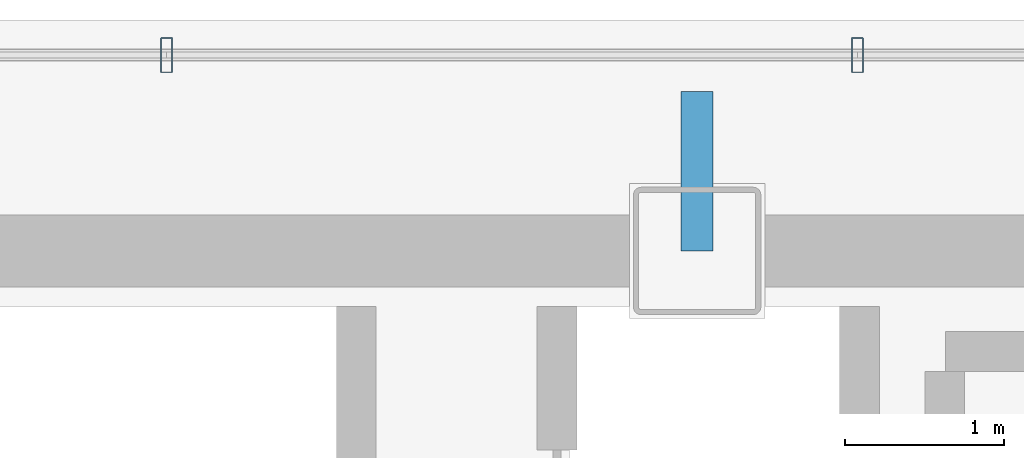
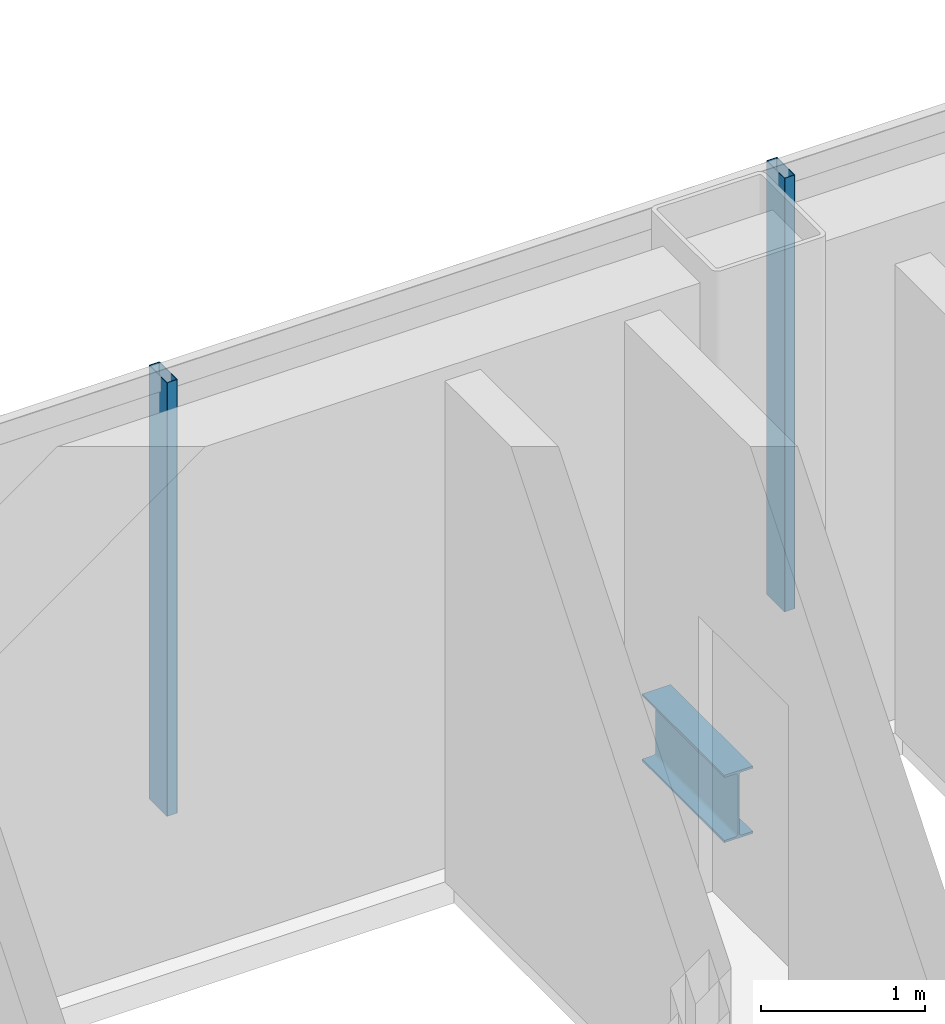
# One storey, part 9 of 15: 2 members, 1 beam, 1 element without a shape of its own.
"""IFC4 building model written with IfcOpenShell, lengths in metres."""

import ifcopenshell
import ifcopenshell.guid

model = None  # the IFC model being written
_history = None  # IfcOwnerHistory: only IFC2X3 demands one
_inside = {}  # id of a spatial element -> (the spatial element, [elements in it])
_under = {}  # id of a project, library or spatial element -> (it, [spatial elements below it])
_declared = {}  # id of a project -> (the project, [libraries it declares])
_typed = {}  # id of a type object -> (the type object, [elements of that type])
_made_of = {}  # id of a material, layer set ... -> (it, [elements and type objects made of it])


def new_model(schema):
    """Start an empty IFC model of exactly this schema.

    Asked for "IFC4X3", IfcOpenShell would pick the latest addendum, in which some entities
    have other attributes; the version numbers below select the first issue.
    IFC2X3 requires an IfcOwnerHistory on every rooted entity: one is made here for all.
    """
    global model, _history
    if schema == "IFC4X3":
        model = ifcopenshell.file(schema_version=(4, 3, 0, 0))
    else:
        model = ifcopenshell.file(schema=schema)
    _inside.clear()
    _under.clear()
    _declared.clear()
    _typed.clear()
    _made_of.clear()
    _history = None
    if model.schema == "IFC2X3":
        org = make("IfcOrganization", Name="unknown")
        user = make(
            "IfcPersonAndOrganization",
            ThePerson=make("IfcPerson", FamilyName="unknown"),
            TheOrganization=org,
        )
        app = make(
            "IfcApplication",
            ApplicationDeveloper=org,
            Version="unknown",
            ApplicationFullName="unknown",
            ApplicationIdentifier="unknown",
        )
        _history = make(
            "IfcOwnerHistory",
            OwningUser=user,
            OwningApplication=app,
            ChangeAction="ADDED",
            CreationDate=0,
        )
    return model


def make(cls, **values):
    """One entity of the class cls with the attributes given. An attribute that is None is left unset."""
    return model.create_entity(
        cls, **{name: value for name, value in values.items() if value is not None}
    )


def rooted(cls, **values):
    """An entity with a GlobalId (a new one), such as an element, a storey or a relation."""
    return make(cls, GlobalId=ifcopenshell.guid.new(), OwnerHistory=_history, **values)


def si_unit(unit_type, name, prefix=None):
    """IfcSIUnit, for example si_unit("LENGTHUNIT", "METRE", prefix="MILLI")."""
    return make("IfcSIUnit", UnitType=unit_type, Prefix=prefix, Name=name)


def assignment(units):
    """IfcUnitAssignment: the units of a project."""
    return None if units is None else make("IfcUnitAssignment", Units=units)


def point(xyz):
    """IfcCartesianPoint."""
    return None if xyz is None else make("IfcCartesianPoint", Coordinates=xyz)


def direction(xyz):
    """IfcDirection."""
    return None if xyz is None else make("IfcDirection", DirectionRatios=xyz)


def frame(location, z_axis=None, x_axis=None):
    """IfcAxis2Placement3D, a coordinate frame: its origin and axes. An axis left out is left unset."""
    return make(
        "IfcAxis2Placement3D",
        Location=point(location),
        Axis=direction(z_axis),
        RefDirection=direction(x_axis),
    )


def frame_2d(location, x_axis=None):
    """IfcAxis2Placement2D, a coordinate frame in the plane: its origin and x axis."""
    return make(
        "IfcAxis2Placement2D", Location=point(location), RefDirection=direction(x_axis)
    )


def origin():
    """The frame at (0, 0, 0) with its axes left unset."""
    return frame((0.0, 0.0, 0.0))


def origin_2d():
    """The frame at (0, 0) in the plane with its x axis left unset."""
    return frame_2d((0.0, 0.0))


def place(relative_to, where):
    """IfcLocalPlacement: puts the frame where relative to a parent placement (None: the world)."""
    return make(
        "IfcLocalPlacement", PlacementRelTo=relative_to, RelativePlacement=where
    )


def context(
    kind, dimensions, precision=None, world=None, true_north=None, identifier=None
):
    """IfcGeometricRepresentationContext, for example the 3D "Model" context."""
    return make(
        "IfcGeometricRepresentationContext",
        ContextIdentifier=identifier,
        ContextType=kind,
        CoordinateSpaceDimension=dimensions,
        Precision=precision,
        WorldCoordinateSystem=world,
        TrueNorth=true_north,
    )


def subcontext(parent, identifier, kind, view, scale=None):
    """IfcGeometricRepresentationSubContext, for example "Body" below "Model"."""
    return make(
        "IfcGeometricRepresentationSubContext",
        ContextIdentifier=identifier,
        ContextType=kind,
        ParentContext=parent,
        TargetScale=scale,
        TargetView=view,
    )


def project(units=None, contexts=None):
    """IfcProject with its units and contexts."""
    return rooted(
        "IfcProject",
        Name="project",
        RepresentationContexts=contexts,
        UnitsInContext=assignment(units),
    )


def spatial(cls, under=None, at=None, **own):
    """A site, building, storey or space (cls), placed at a placement, below another one or the project."""
    s = rooted(cls, ObjectPlacement=at, **own)
    if under is not None:
        _under.setdefault(under.id(), (under, []))[1].append(s)
    return s


def profile(cls, at=None, kind="AREA", **sizes):
    """A parametric profile (cls). Its sizes go by their IFC names, for example OverallWidth=200.0."""
    return make(cls, ProfileType=kind, Position=at, **sizes)


def hollow_rectangle(**sizes):
    """IfcRectangleHollowProfileDef."""
    return profile("IfcRectangleHollowProfileDef", **sizes)


def i_section(**sizes):
    """IfcIShapeProfileDef."""
    return profile("IfcIShapeProfileDef", **sizes)


def extrude(swept, where, along, depth):
    """IfcExtrudedAreaSolid: the profile swept, set in the frame where, extruded along a direction by depth."""
    return make(
        "IfcExtrudedAreaSolid",
        SweptArea=swept,
        Position=where,
        ExtrudedDirection=direction(along),
        Depth=depth,
    )


def shape(context_of_items, identifier, shape_type, items):
    """IfcShapeRepresentation: the items that make up one representation, for example the "Body"."""
    return make(
        "IfcShapeRepresentation",
        ContextOfItems=context_of_items,
        RepresentationIdentifier=identifier,
        RepresentationType=shape_type,
        Items=items,
    )


def material(Name=None, Category=None):
    """IfcMaterial."""
    return make("IfcMaterial", Name=Name, Category=Category)


def material_profile(
    of_material, cross_section, Name=None, Category=None, Priority=None
):
    """IfcMaterialProfile: a cross section and its material."""
    return make(
        "IfcMaterialProfile",
        Name=Name,
        Material=of_material,
        Profile=cross_section,
        Priority=Priority,
        Category=Category,
    )


def profile_set(profiles, Name=None, composite=None):
    """IfcMaterialProfileSet."""
    return make(
        "IfcMaterialProfileSet",
        Name=Name,
        MaterialProfiles=profiles,
        CompositeProfile=composite,
    )


def made_of(thing, what):
    """Note that an element or type object is made of a material, layer set ...; save() writes the relation."""
    if what is not None:
        _made_of.setdefault(what.id(), (what, []))[1].append(thing)
    return thing


def type_object(cls, material=None, **own):
    """A type object (cls), such as IfcWallType, which elements share."""
    return made_of(rooted(cls, **own), material)


def element(
    cls,
    number,
    at=None,
    inside=None,
    cuts=None,
    type_object=None,
    material=None,
    context=None,
    identifier="Body",
    shape_type=None,
    held_by="IfcProductDefinitionShape",
    body=None,
    shapes=None,
    **own,
):
    """One element of the class cls, such as IfcWall. Its Tag is "e" and its number.

    at: its placement. inside: the storey or other place that contains it. cuts: it is an
    opening in that element (IfcRelVoidsElement). A single representation is given by context,
    identifier, shape_type and body (its items); several are given by shapes. held_by: the class
    of the entity that holds the representations. save() writes the other relations.
    """
    e = rooted(cls, Tag="e%d" % number, ObjectPlacement=at, **own)
    if body is not None:
        shapes = [shape(context, identifier, shape_type, body)]
    if shapes is not None:
        e.Representation = make(held_by, Representations=shapes)
    if inside is not None:
        _inside.setdefault(inside.id(), (inside, []))[1].append(e)
    if cuts is not None:
        rooted(
            "IfcRelVoidsElement", RelatingBuildingElement=cuts, RelatedOpeningElement=e
        )
    if type_object is not None:
        _typed.setdefault(type_object.id(), (type_object, []))[1].append(e)
    return made_of(e, material)


def aggregate(whole, parts):
    """IfcRelAggregates: a whole, such as a stair, and the parts it consists of."""
    return rooted("IfcRelAggregates", RelatingObject=whole, RelatedObjects=parts)


def save(model, path):
    """Write the relations noted so far, then the file.

    IfcRelAggregates (storeys below a building ...), IfcRelContainedInSpatialStructure (elements
    in a storey), IfcRelDefinesByType, IfcRelAssociatesMaterial and IfcRelDeclares: one each for
    every whole, place, type object, material and project.
    """
    for whole, parts in _under.values():
        aggregate(whole, parts)
    for where, things in _inside.values():
        rooted(
            "IfcRelContainedInSpatialStructure",
            RelatedElements=things,
            RelatingStructure=where,
        )
    for kind, things in _typed.values():
        rooted("IfcRelDefinesByType", RelatedObjects=things, RelatingType=kind)
    for what, things in _made_of.values():
        rooted("IfcRelAssociatesMaterial", RelatedObjects=things, RelatingMaterial=what)
    for by, libraries in _declared.values():
        rooted("IfcRelDeclares", RelatingContext=by, RelatedDefinitions=libraries)
    model.write(path)


model = new_model("IFC4")

# Units and contexts
model_context = context("Model", 3, precision=1e-05, world=origin(), true_north=direction((0.0, 1.0)))
body_context = subcontext(model_context, "Body", "Model", "MODEL_VIEW")
ifc_project = project(units=[si_unit("LENGTHUNIT", "METRE"), si_unit("AREAUNIT", "SQUARE_METRE"), si_unit("VOLUMEUNIT", "CUBIC_METRE"), si_unit("PLANEANGLEUNIT", "RADIAN"), si_unit("MASSUNIT", "GRAM", prefix="KILO")], contexts=[model_context])

# Site, building, storey
site_placement = place(None, origin())
site = spatial("IfcSite", under=ifc_project, at=site_placement, CompositionType="ELEMENT")
building_placement = place(site_placement, origin())
building = spatial("IfcBuilding", under=site, at=building_placement, Name="Noeulbin Bourse Tower", CompositionType="ELEMENT")
storey_placement = place(building_placement, frame((0.0, 0.0, 211.10009765625)))
storey = spatial("IfcBuildingStorey", under=building, at=storey_placement, Name="L52", CompositionType="ELEMENT", Elevation=211.10009765625)

# Beam
ifc_material_1 = material(Name="Steel S355", Category="steel")
ifc_material_profile_1 = material_profile(ifc_material_1, i_section(OverallWidth=0.199951171875, OverallDepth=0.5, WebThickness=0.010009765625, FlangeThickness=0.01611328125, FilletRadius=0.02001953125, at=origin_2d()), Name="H-500x200x10x16", Category="LoadBearing")
ifc_profile_set_1 = profile_set([ifc_material_profile_1], Name="Steel S355")
beam_type = type_object("IfcBeamType", Name="BM-GRD-500", PredefinedType="USERDEFINED", material=ifc_profile_set_1)
beam_placement = place(storey_placement, frame((37.5, 38.300048828125, -0.43017578125), z_axis=(0.0, 1.0, 0.0), x_axis=(-1.0, 0.0, 0.0)))
element("IfcBeam", 1, at=beam_placement, inside=storey, type_object=beam_type, Name="Tower Primary Girder NS L52-4.4", ObjectType="GIRDER", PredefinedType="USERDEFINED", context=body_context, shape_type="SweptSolid", body=[
    extrude(i_section(OverallWidth=0.199951171875, OverallDepth=0.5, WebThickness=0.010009765625, FlangeThickness=0.01611328125, FilletRadius=0.02001953125, at=origin_2d()), origin(), (0.0, 0.0, 1.0), 1.0),
])

# Curtain wall, members
ifc_material_2 = material(Name="High-Selectivity Low-Iron Glazing", Category="glass")
curtain_wall_type = type_object("IfcCurtainWallType", Name="CW-SYS-4", PredefinedType="NOTDEFINED", material=ifc_material_2)
curtain_wall_placement = place(storey_placement, origin())
curtain_wall = element("IfcCurtainWall", 2, at=curtain_wall_placement, inside=storey, type_object=curtain_wall_type, Name="Unitised Curtain Wall CW-L52-N", PredefinedType="NOTDEFINED")
ifc_material_3 = material(Name="Anodised Aluminium 6063-T6", Category="aluminium")
ifc_material_profile_2 = material_profile(ifc_material_3, hollow_rectangle(XDim=0.074951171875, YDim=0.219970703125, WallThickness=0.0048828125, InnerFilletRadius=0.00244140625, OuterFilletRadius=0.0048828125, at=origin_2d()), Name="ALU-MULL-75x220x5", Category="LoadBearing")
ifc_profile_set_2 = profile_set([ifc_material_profile_2], Name="Anodised Aluminium 6063-T6")
member_type = type_object("IfcMemberType", Name="CW-SYS-4-MUL", PredefinedType="MULLION", material=ifc_profile_set_2)
member_1_placement = place(storey_placement, frame((34.1689453125, 39.530029296875, -0.02001953125), z_axis=(0.0, 0.0, 1.0), x_axis=(1.0, 0.0, 0.0)))
member_1 = element("IfcMember", 3, at=member_1_placement, type_object=member_type, Name="Curtain Wall Mullion CW-L52-N-M05", PredefinedType="MULLION", context=body_context, shape_type="SweptSolid", body=[
    extrude(hollow_rectangle(XDim=0.074951171875, YDim=0.219970703125, WallThickness=0.0048828125, InnerFilletRadius=0.00244140625, OuterFilletRadius=0.0048828125, at=origin_2d()), origin(), (0.0, 0.0, 1.0), 3.219970703125),
])
member_2_placement = place(storey_placement, frame((38.506591796875, 39.530029296875, -0.02001953125), z_axis=(0.0, 0.0, 1.0), x_axis=(1.0, 0.0, 0.0)))
member_2 = element("IfcMember", 4, at=member_2_placement, type_object=member_type, Name="Curtain Wall Mullion CW-L52-N-M06", PredefinedType="MULLION", context=body_context, shape_type="SweptSolid", body=[
    extrude(hollow_rectangle(XDim=0.074951171875, YDim=0.219970703125, WallThickness=0.0048828125, InnerFilletRadius=0.00244140625, OuterFilletRadius=0.0048828125, at=origin_2d()), origin(), (0.0, 0.0, 1.0), 3.219970703125),
])
aggregate(curtain_wall, [member_1, member_2])

save(model, "model.ifc")
